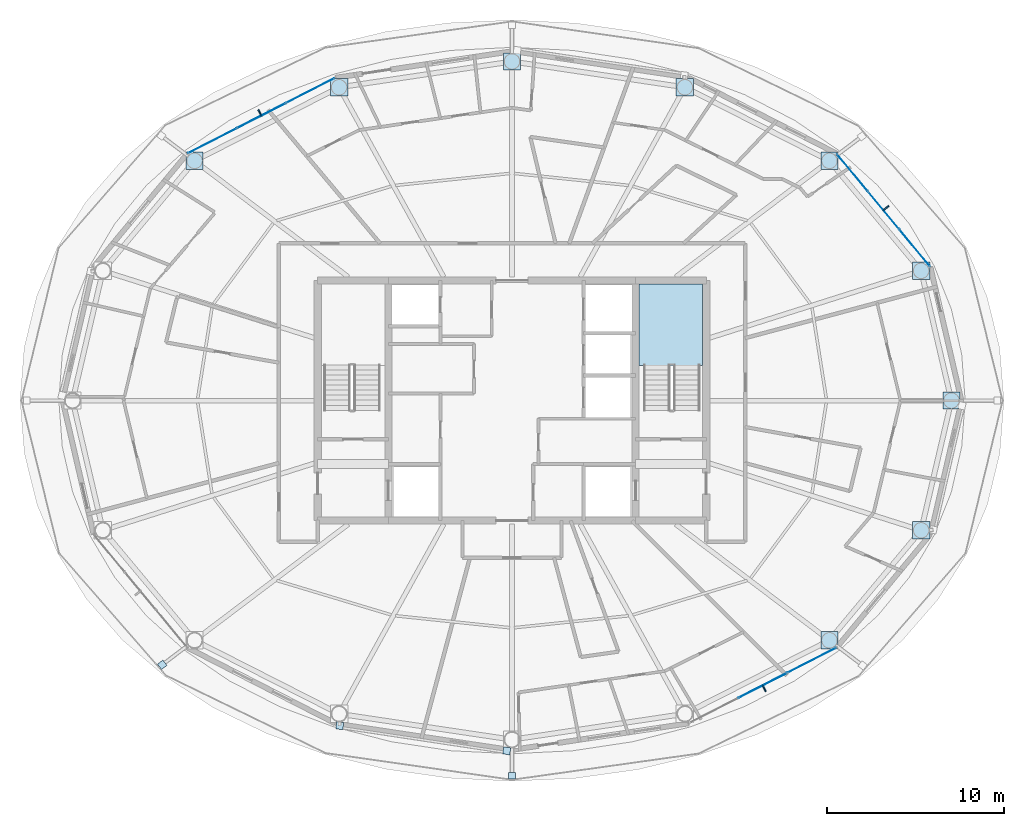
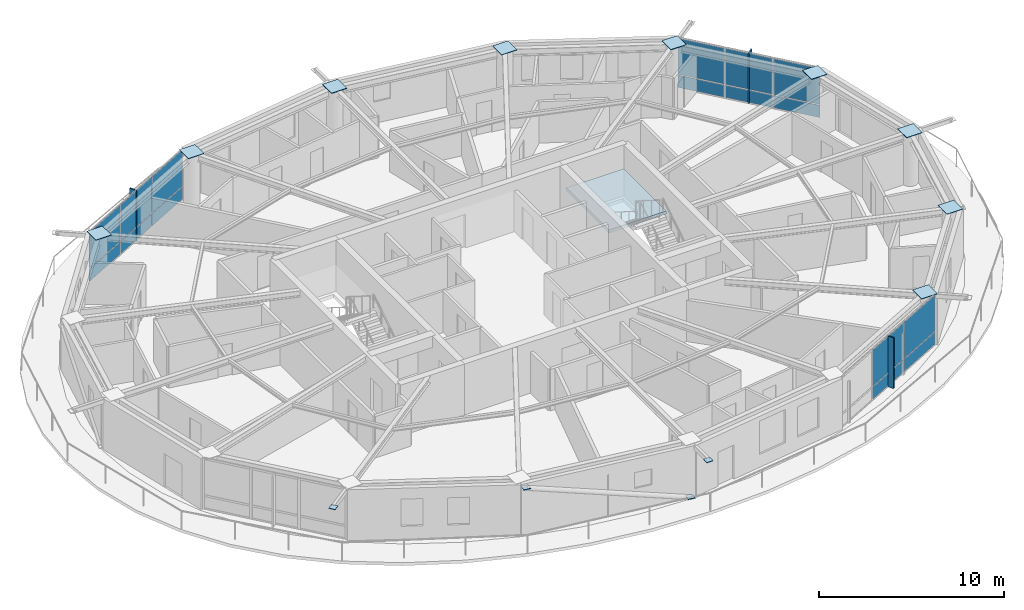
# One storey, part 14 of 23: 32 plates, 1 slab, 4 elements without a shape of their own.
"""IFC4 building model written with IfcOpenShell, lengths in metres."""

from ifc_helpers import new_model, si_unit, direction, frame, origin, origin_2d, place, context, subcontext, project, spatial, polyline, rectangle, outline, extrude, material, layer, layer_set, type_object, element, aggregate, save


model = new_model("IFC4")

# Units and contexts
model_context = context("Model", 3, precision=1e-05, world=origin(), true_north=direction((0.0, 1.0)))
body_context = subcontext(model_context, "Body", "Model", "MODEL_VIEW")
ifc_project = project(units=[si_unit("LENGTHUNIT", "METRE"), si_unit("AREAUNIT", "SQUARE_METRE"), si_unit("VOLUMEUNIT", "CUBIC_METRE"), si_unit("PLANEANGLEUNIT", "RADIAN"), si_unit("MASSUNIT", "GRAM", prefix="KILO")], contexts=[model_context])

# Site, building, storey
site_placement = place(None, origin())
site = spatial("IfcSite", under=ifc_project, at=site_placement, CompositionType="ELEMENT")
building_placement = place(site_placement, origin())
building = spatial("IfcBuilding", under=site, at=building_placement, Name="Sarneth Arch Tower", CompositionType="ELEMENT")
storey_placement = place(building_placement, frame((0.0, 0.0, 262.199951171875)))
storey = spatial("IfcBuildingStorey", under=building, at=storey_placement, Name="L67", CompositionType="ELEMENT", Elevation=262.199951171875)

# Curtain wall, plates
ifc_material_1 = material(Name="Anodised aluminium Type AA25 and solar-control low-e laminated IGU", Category="aluminium")
ifc_layer_1 = layer(ifc_material_1, 0.179931640625)
ifc_layer_set_1 = layer_set([ifc_layer_1], Name="Anodised aluminium Type AA25 and solar-control low-e laminated IGU")
curtain_wall_type = type_object("IfcCurtainWallType", Name="CW-RES-HIGH", PredefinedType="NOTDEFINED", material=ifc_layer_set_1)
curtain_wall_1_placement = place(storey_placement, origin())
curtain_wall_1 = element("IfcCurtainWall", 1, at=curtain_wall_1_placement, inside=storey, type_object=curtain_wall_type, Name="L67 Unitised curtain wall facet 02", PredefinedType="NOTDEFINED")
ifc_material_2 = material(Name="Solar-control low-e laminated IGU", Category="glass")
ifc_layer_2 = layer(ifc_material_2, 0.028076171875)
ifc_layer_set_2 = layer_set([ifc_layer_2], Name="Solar-control low-e laminated IGU")
plate_type_1 = type_object("IfcPlateType", Name="CW-PANEL", PredefinedType="CURTAIN_PANEL", material=ifc_layer_set_2)
plate_1_placement = place(storey_placement, frame((70.799072265625, 50.650634765625, 0.06005859375), z_axis=(0.0, 0.0, 1.0), x_axis=(-0.637610094184, 0.770359245933, 0.0)))
plate_1 = element("IfcPlate", 2, at=plate_1_placement, type_object=plate_type_1, Name="Curtain wall glazed vision pane CW-L67-F02/P00-00", PredefinedType="CURTAIN_PANEL", context=body_context, shape_type="SweptSolid", body=[
    extrude(rectangle(XDim=2.686767578125, YDim=0.028076171875, at=origin_2d()), origin(), (0.0, 0.0, 1.0), 0.81005859375),
])
plate_2_placement = place(storey_placement, frame((70.799072265625, 50.650634765625, 0.93017578125), z_axis=(0.0, 0.0, 1.0), x_axis=(-0.637610094184, 0.770359245933, 0.0)))
plate_2 = element("IfcPlate", 3, at=plate_2_placement, type_object=plate_type_1, Name="Curtain wall glazed vision pane CW-L67-F02/P00-01", PredefinedType="CURTAIN_PANEL", context=body_context, shape_type="SweptSolid", body=[
    extrude(rectangle(XDim=2.686767578125, YDim=0.028076171875, at=origin_2d()), origin(), (0.0, 0.0, 1.0), 2.3798828125),
])
plate_3_placement = place(storey_placement, frame((69.0380859375, 52.778076171875, 0.06005859375), z_axis=(0.0, 0.0, 1.0), x_axis=(-0.637610094184, 0.770359245933, 0.0)))
plate_3 = element("IfcPlate", 4, at=plate_3_placement, type_object=plate_type_1, Name="Curtain wall glazed vision pane CW-L67-F02/P01-00", PredefinedType="CURTAIN_PANEL", context=body_context, shape_type="SweptSolid", body=[
    extrude(rectangle(XDim=2.716552734375, YDim=0.028076171875, at=origin_2d()), origin(), (0.0, 0.0, 1.0), 0.81005859375),
])
plate_4_placement = place(storey_placement, frame((69.0380859375, 52.778076171875, 0.93017578125), z_axis=(0.0, 0.0, 1.0), x_axis=(-0.637610094184, 0.770359245933, 0.0)))
plate_4 = element("IfcPlate", 5, at=plate_4_placement, type_object=plate_type_1, Name="Curtain wall glazed vision pane CW-L67-F02/P01-01", PredefinedType="CURTAIN_PANEL", context=body_context, shape_type="SweptSolid", body=[
    extrude(rectangle(XDim=2.716552734375, YDim=0.028076171875, at=origin_2d()), origin(), (0.0, 0.0, 1.0), 2.3798828125),
])
plate_5_placement = place(storey_placement, frame((67.27734375, 54.905517578125, 0.06005859375), z_axis=(0.0, 0.0, 1.0), x_axis=(-0.637610094184, 0.770359245933, 0.0)))
plate_5 = element("IfcPlate", 6, at=plate_5_placement, type_object=plate_type_1, Name="Curtain wall glazed vision pane CW-L67-F02/P02-00", PredefinedType="CURTAIN_PANEL", context=body_context, shape_type="SweptSolid", body=[
    extrude(rectangle(XDim=2.686767578125, YDim=0.028076171875, at=origin_2d()), origin(), (0.0, 0.0, 1.0), 0.81005859375),
])
plate_6_placement = place(storey_placement, frame((67.27734375, 54.905517578125, 0.93017578125), z_axis=(0.0, 0.0, 1.0), x_axis=(-0.637610094184, 0.770359245933, 0.0)))
plate_6 = element("IfcPlate", 7, at=plate_6_placement, type_object=plate_type_1, Name="Curtain wall glazed vision pane CW-L67-F02/P02-01", PredefinedType="CURTAIN_PANEL", context=body_context, shape_type="SweptSolid", body=[
    extrude(rectangle(XDim=2.686767578125, YDim=0.028076171875, at=origin_2d()), origin(), (0.0, 0.0, 1.0), 2.3798828125),
])
aggregate(curtain_wall_1, [plate_1, plate_2, plate_3, plate_4, plate_5, plate_6])

curtain_wall_2_placement = place(storey_placement, origin())
curtain_wall_2 = element("IfcCurtainWall", 8, at=curtain_wall_2_placement, inside=storey, type_object=curtain_wall_type, Name="L67 Unitised curtain wall facet 06", PredefinedType="NOTDEFINED")
plate_7_placement = place(storey_placement, frame((36.5791015625, 59.552978515625, 0.06005859375), z_axis=(0.0, 0.0, 1.0), x_axis=(-0.890009540525, -0.455941901753, 0.0)))
plate_7 = element("IfcPlate", 9, at=plate_7_placement, type_object=plate_type_1, Name="Curtain wall glazed vision pane CW-L67-F06/P00-00", PredefinedType="CURTAIN_PANEL", context=body_context, shape_type="SweptSolid", body=[
    extrude(rectangle(XDim=3.044677734375, YDim=0.028076171875, at=origin_2d()), origin(), (0.0, 0.0, 1.0), 0.81005859375),
])
plate_8_placement = place(storey_placement, frame((36.5791015625, 59.552978515625, 0.93017578125), z_axis=(0.0, 0.0, 1.0), x_axis=(-0.890009540525, -0.455941901753, 0.0)))
plate_8 = element("IfcPlate", 10, at=plate_8_placement, type_object=plate_type_1, Name="Curtain wall glazed vision pane CW-L67-F06/P00-01", PredefinedType="CURTAIN_PANEL", context=body_context, shape_type="SweptSolid", body=[
    extrude(rectangle(XDim=3.044677734375, YDim=0.028076171875, at=origin_2d()), origin(), (0.0, 0.0, 1.0), 2.3798828125),
])
plate_9_placement = place(storey_placement, frame((33.802490234375, 58.13037109375, 0.06005859375), z_axis=(0.0, 0.0, 1.0), x_axis=(-0.890009540525, -0.455941901753, 0.0)))
plate_9 = element("IfcPlate", 11, at=plate_9_placement, type_object=plate_type_1, Name="Curtain wall glazed vision pane CW-L67-F06/P01-00", PredefinedType="CURTAIN_PANEL", context=body_context, shape_type="SweptSolid", body=[
    extrude(rectangle(XDim=3.07470703125, YDim=0.028076171875, at=origin_2d()), origin(), (0.0, 0.0, 1.0), 0.81005859375),
])
plate_10_placement = place(storey_placement, frame((33.802490234375, 58.13037109375, 0.93017578125), z_axis=(0.0, 0.0, 1.0), x_axis=(-0.890009540525, -0.455941901753, 0.0)))
plate_10 = element("IfcPlate", 12, at=plate_10_placement, type_object=plate_type_1, Name="Curtain wall glazed vision pane CW-L67-F06/P01-01", PredefinedType="CURTAIN_PANEL", context=body_context, shape_type="SweptSolid", body=[
    extrude(rectangle(XDim=3.07470703125, YDim=0.028076171875, at=origin_2d()), origin(), (0.0, 0.0, 1.0), 2.3798828125),
])
plate_11_placement = place(storey_placement, frame((31.02587890625, 56.7080078125, 0.06005859375), z_axis=(0.0, 0.0, 1.0), x_axis=(-0.890009540525, -0.455941901753, 0.0)))
plate_11 = element("IfcPlate", 13, at=plate_11_placement, type_object=plate_type_1, Name="Curtain wall glazed vision pane CW-L67-F06/P02-00", PredefinedType="CURTAIN_PANEL", context=body_context, shape_type="SweptSolid", body=[
    extrude(rectangle(XDim=3.044677734375, YDim=0.028076171875, at=origin_2d()), origin(), (0.0, 0.0, 1.0), 0.81005859375),
])
plate_12_placement = place(storey_placement, frame((31.02587890625, 56.7080078125, 0.93017578125), z_axis=(0.0, 0.0, 1.0), x_axis=(-0.890009540525, -0.455941901753, 0.0)))
plate_12 = element("IfcPlate", 14, at=plate_12_placement, type_object=plate_type_1, Name="Curtain wall glazed vision pane CW-L67-F06/P02-01", PredefinedType="CURTAIN_PANEL", context=body_context, shape_type="SweptSolid", body=[
    extrude(rectangle(XDim=3.044677734375, YDim=0.028076171875, at=origin_2d()), origin(), (0.0, 0.0, 1.0), 2.3798828125),
])
aggregate(curtain_wall_2, [plate_7, plate_8, plate_9, plate_10, plate_11, plate_12])

curtain_wall_3_placement = place(storey_placement, origin())
curtain_wall_3 = element("IfcCurtainWall", 15, at=curtain_wall_3_placement, inside=storey, type_object=curtain_wall_type, Name="L67 Unitised curtain wall facet 14", PredefinedType="NOTDEFINED")
plate_13_placement = place(storey_placement, frame((62.197509765625, 25.86962890625, 0.06005859375), z_axis=(0.0, 0.0, 1.0), x_axis=(0.890009540525, 0.455941901753, 0.0)))
plate_13 = element("IfcPlate", 16, at=plate_13_placement, type_object=plate_type_1, Name="Curtain wall glazed vision pane CW-L67-F14/P01-00", PredefinedType="CURTAIN_PANEL", context=body_context, shape_type="SweptSolid", body=[
    extrude(rectangle(XDim=3.07470703125, YDim=0.028076171875, at=origin_2d()), origin(), (0.0, 0.0, 1.0), 0.81005859375),
])
plate_14_placement = place(storey_placement, frame((62.197509765625, 25.86962890625, 0.93017578125), z_axis=(0.0, 0.0, 1.0), x_axis=(0.890009540525, 0.455941901753, 0.0)))
plate_14 = element("IfcPlate", 17, at=plate_14_placement, type_object=plate_type_1, Name="Curtain wall glazed vision pane CW-L67-F14/P01-01", PredefinedType="CURTAIN_PANEL", context=body_context, shape_type="SweptSolid", body=[
    extrude(rectangle(XDim=3.07470703125, YDim=0.028076171875, at=origin_2d()), origin(), (0.0, 0.0, 1.0), 2.3798828125),
])
plate_15_placement = place(storey_placement, frame((64.97412109375, 27.2919921875, 0.06005859375), z_axis=(0.0, 0.0, 1.0), x_axis=(0.890009540525, 0.455941901753, 0.0)))
plate_15 = element("IfcPlate", 18, at=plate_15_placement, type_object=plate_type_1, Name="Curtain wall glazed vision pane CW-L67-F14/P02-00", PredefinedType="CURTAIN_PANEL", context=body_context, shape_type="SweptSolid", body=[
    extrude(rectangle(XDim=3.044677734375, YDim=0.028076171875, at=origin_2d()), origin(), (0.0, 0.0, 1.0), 0.81005859375),
])
plate_16_placement = place(storey_placement, frame((64.97412109375, 27.2919921875, 0.93017578125), z_axis=(0.0, 0.0, 1.0), x_axis=(0.890009540525, 0.455941901753, 0.0)))
plate_16 = element("IfcPlate", 19, at=plate_16_placement, type_object=plate_type_1, Name="Curtain wall glazed vision pane CW-L67-F14/P02-01", PredefinedType="CURTAIN_PANEL", context=body_context, shape_type="SweptSolid", body=[
    extrude(rectangle(XDim=3.044677734375, YDim=0.028076171875, at=origin_2d()), origin(), (0.0, 0.0, 1.0), 2.3798828125),
])
aggregate(curtain_wall_3, [plate_13, plate_14, plate_15, plate_16])

# Plates
ifc_material_3 = material(Name="Steel S355", Category="steel")
ifc_layer_3 = layer(ifc_material_3, 0.035888671875)
ifc_layer_set_3 = layer_set([ifc_layer_3], Name="Steel S355")
plate_type_2 = type_object("IfcPlateType", Name="PLT-GUSSET-30", PredefinedType="SHEET", material=ifc_layer_set_3)
plate_17_placement = place(storey_placement, frame((28.1923828125, 27.03955078125, 3.19189453125), z_axis=(0.0, 0.0, 1.0), x_axis=(-0.798004853043, -0.602651022168, 0.0)))
element("IfcPlate", 20, at=plate_17_placement, inside=storey, type_object=plate_type_2, Name="Steel end cap plate GP-1", PredefinedType="SHEET", context=body_context, shape_type="SweptSolid", body=[
    extrude(rectangle(XDim=0.3798828125, YDim=0.3798828125, at=origin_2d()), origin(), (0.0, 0.0, 1.0), 0.035888671875),
])
for number, where, z_axis, x_axis, name in (
    (21, (47.703369140625, 22.16455078125, 0.001953125), (0.0, 0.0, 1.0), (0.988860535448, -0.148845024885, 0.0), "Steel end cap plate GP-1"),
    (22, (38.245849609375, 23.588623046875, 3.07421875), (0.0, 0.0, 1.0), (0.988860535448, -0.148845024885, 0.0), "Steel end cap plate GP-1"),
):
    element("IfcPlate", number, at=place(storey_placement, frame(where, z_axis=z_axis, x_axis=x_axis)), inside=storey, type_object=plate_type_2, Name=name, PredefinedType="SHEET", context=body_context, shape_type="SweptSolid", body=[
        extrude(rectangle(XDim=0.404052734375, YDim=0.404052734375, at=origin_2d()), origin(), (0.0, 0.0, 1.0), 0.035888671875),
    ])
plate_18_placement = place(storey_placement, frame((48.0, 20.74853515625, 3.19189453125), z_axis=(0.0, 0.0, 1.0), x_axis=(0.0, -1.0, 0.0)))
element("IfcPlate", 23, at=plate_18_placement, inside=storey, type_object=plate_type_2, Name="Steel end cap plate GP-1", PredefinedType="SHEET", context=body_context, shape_type="SweptSolid", body=[
    extrude(rectangle(XDim=0.3798828125, YDim=0.3798828125, at=origin_2d()), origin(), (0.0, 0.0, 1.0), 0.035888671875),
])
ifc_material_4 = material(Name="Steel S355", Category="steel")
ifc_layer_4 = layer(ifc_material_4, 0.0400390625)
ifc_layer_set_4 = layer_set([ifc_layer_4], Name="Steel S355")
plate_type_3 = type_object("IfcPlateType", Name="PLT-SPLICE-40", PredefinedType="SHEET", material=ifc_layer_set_4)
for number, where, z_axis, x_axis, name in (
    (24, (72.88330078125, 42.0, 3.35205078125), (0.0, 0.0, 1.0), (1.0, 0.0, 0.0), "Steel end cap plate GP-2"),
    (25, (71.1689453125, 49.347412109375, 3.35205078125), (0.0, 0.0, 1.0), (1.0, 0.0, 0.0), "Steel end cap plate GP-2"),
    (26, (65.975341796875, 55.576416015625, 3.35205078125), (0.0, 0.0, 1.0), (1.0, 0.0, 0.0), "Steel end cap plate GP-2"),
    (27, (57.790771484375, 59.738525390625, 3.35205078125), (0.0, 0.0, 1.0), (1.0, 0.0, 0.0), "Steel end cap plate GP-2"),
    (28, (48.0, 61.199951171875, 3.35205078125), (0.0, 0.0, 1.0), (1.0, 0.0, 0.0), "Steel end cap plate GP-2"),
    (29, (38.209228515625, 59.738525390625, 3.35205078125), (0.0, 0.0, 1.0), (1.0, 0.0, 0.0), "Steel end cap plate GP-2"),
    (30, (30.024658203125, 55.576416015625, 3.35205078125), (0.0, 0.0, 1.0), (1.0, 0.0, 0.0), "Steel end cap plate GP-2"),
    (31, (65.975341796875, 28.423583984375, 3.35205078125), (0.0, 0.0, 1.0), (1.0, 0.0, 0.0), "Steel end cap plate GP-2"),
    (32, (71.1689453125, 34.652587890625, 3.35205078125), (0.0, 0.0, 1.0), (1.0, 0.0, 0.0), "Steel end cap plate GP-2"),
):
    element("IfcPlate", number, at=place(storey_placement, frame(where, z_axis=z_axis, x_axis=x_axis)), inside=storey, type_object=plate_type_3, Name=name, PredefinedType="SHEET", context=body_context, shape_type="SweptSolid", body=[
        extrude(rectangle(XDim=0.97998046875, YDim=0.97998046875, at=origin_2d()), origin(), (0.0, 0.0, 1.0), 0.035888671875),
    ])
ifc_material_5 = material(Name="Extruded glazed terracotta baguette fin on Aluminium 6063-T6 carrier", Category="masonry")
ifc_layer_5 = layer(ifc_material_5, 0.080078125)
ifc_layer_set_5 = layer_set([ifc_layer_5], Name="Extruded glazed terracotta baguette fin on Aluminium 6063-T6 carrier")
plate_type_4 = type_object("IfcPlateType", Name="SHADE-TERRA-FIN", PredefinedType="SHEET", material=ifc_layer_set_5)
for number, where, z_axis, x_axis, name in (
    (33, (69.169189453125, 52.886474609375, 0.010009765625), (0.0, 0.0, 1.0), (0.770401979567, 0.63755845997, 0.0), "L67 Terracotta vertical shading fin 02"),
    (34, (33.724853515625, 58.28173828125, 0.010009765625), (0.0, 0.0, 1.0), (-0.456010959102, 0.889974159838, 0.0), "L67 Terracotta vertical shading fin 06"),
    (35, (62.275146484375, 25.71826171875, 0.010009765625), (0.0, 0.0, 1.0), (0.456010959102, -0.889974159838, 0.0), "L67 Terracotta vertical shading fin 14"),
):
    element("IfcPlate", number, at=place(storey_placement, frame(where, z_axis=z_axis, x_axis=x_axis)), inside=storey, type_object=plate_type_4, Name=name, PredefinedType="SHEET", context=body_context, shape_type="SweptSolid", body=[
        extrude(rectangle(XDim=0.419921875, YDim=0.080078125, at=origin_2d()), origin(), (0.0, 0.0, 1.0), 3.35009765625),
    ])

# Stair, slab
ifc_material_6 = material(Name="Concrete C50/60", Category="concrete")
stair_type = type_object("IfcStairType", Name="STAIR-CORE-RC", PredefinedType="HALF_TURN_STAIR", material=ifc_material_6)
stair_placement = place(storey_placement, origin())
stair = element("IfcStair", 36, at=stair_placement, inside=storey, type_object=stair_type, Name="L67 Core Exit Stair 2", PredefinedType="HALF_TURN_STAIR")
ifc_material_7 = material(Name="Concrete C50/60", Category="concrete")
ifc_layer_6 = layer(ifc_material_7, 0.199951171875)
ifc_layer_set_6 = layer_set([ifc_layer_6], Name="Concrete C50/60")
slab_type = type_object("IfcSlabType", Name="SLAB-LANDING-200", PredefinedType="LANDING", material=ifc_layer_set_6)
slab_placement = place(storey_placement, frame((0.0, 0.0, 1.60009765625)))
slab = element("IfcSlab", 37, at=slab_placement, type_object=slab_type, Name="ST-2 landing 1", PredefinedType="LANDING", context=body_context, shape_type="SweptSolid", body=[
    extrude(outline(polyline([(55.199951171875, 43.985107421875), (58.800048828125, 43.985107421875), (58.800048828125, 48.60009765625), (55.199951171875, 48.60009765625), (55.199951171875, 43.985107421875)])), origin(), (0.0, 0.0, 1.0), 0.199951171875),
])
aggregate(stair, [slab])

save(model, "model.ifc")
